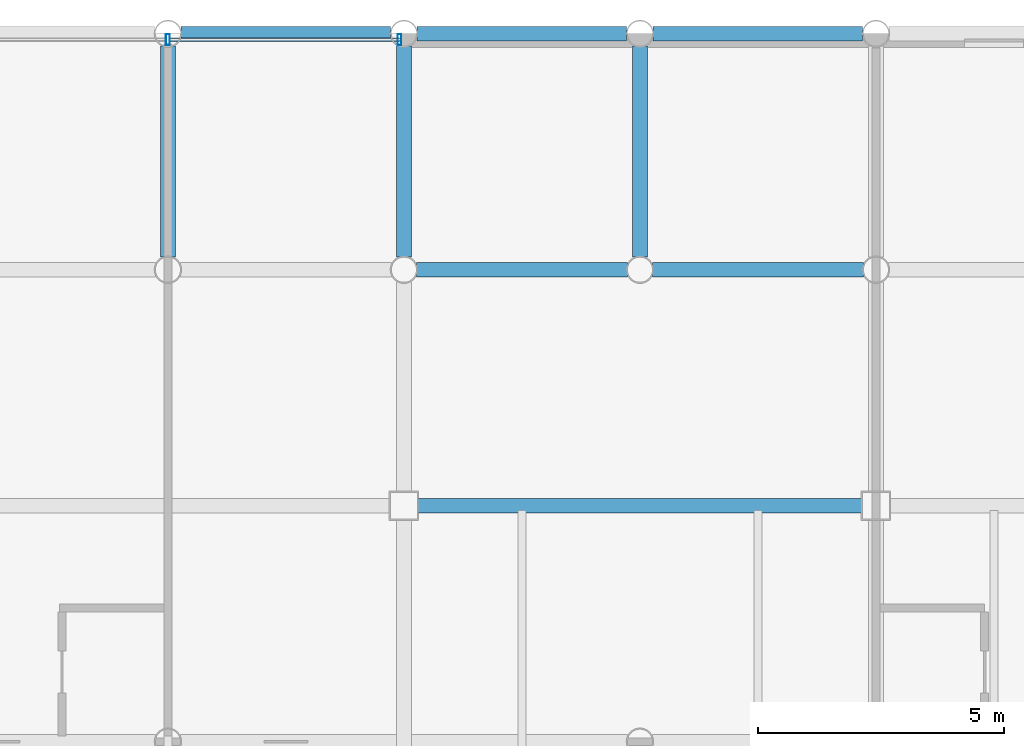
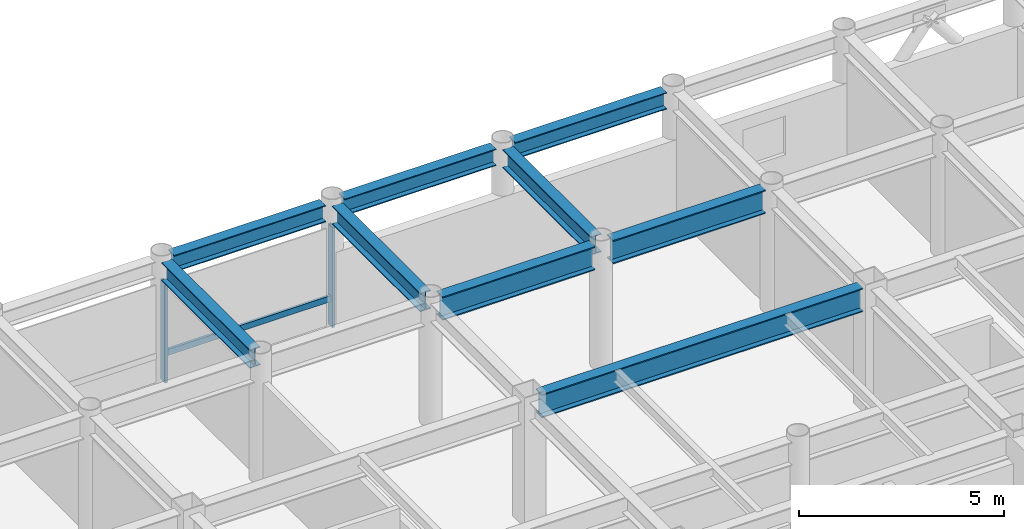
# One storey, part 15 of 22: 9 beams, 3 members, 1 element without a shape of its own.
"""IFC4 building model written with IfcOpenShell, lengths in metres."""

from ifc_helpers import new_model, si_unit, direction, frame, origin, origin_2d, place, context, subcontext, project, spatial, hollow_rectangle, i_section, extrude, material, layer, layer_set, material_profile, profile_set, type_object, element, aggregate, save


model = new_model("IFC4")

# Units and contexts
model_context = context("Model", 3, precision=1e-05, world=origin(), true_north=direction((0.0, 1.0)))
body_context = subcontext(model_context, "Body", "Model", "MODEL_VIEW")
ifc_project = project(units=[si_unit("LENGTHUNIT", "METRE"), si_unit("AREAUNIT", "SQUARE_METRE"), si_unit("VOLUMEUNIT", "CUBIC_METRE"), si_unit("PLANEANGLEUNIT", "RADIAN"), si_unit("MASSUNIT", "GRAM", prefix="KILO")], contexts=[model_context])

# Site, building, storey
site_placement = place(None, origin())
site = spatial("IfcSite", under=ifc_project, at=site_placement, CompositionType="ELEMENT")
building_placement = place(site_placement, origin())
building = spatial("IfcBuilding", under=site, at=building_placement, Name="Kallvorn Hotel Tower", CompositionType="ELEMENT")
storey_placement = place(building_placement, frame((0.0, 0.0, 253.10009765625)))
storey = spatial("IfcBuildingStorey", under=building, at=storey_placement, Name="L63", CompositionType="ELEMENT", Elevation=253.10009765625)

# Beams
ifc_material_1 = material(Name="Structural steel S355JR", Category="steel")
ifc_material_profile_1 = material_profile(ifc_material_1, i_section(OverallWidth=0.300048828125, OverallDepth=0.5, WebThickness=0.014404296875, FlangeThickness=0.028076171875, at=origin_2d()), Name="HE 500 B")
ifc_profile_set_1 = profile_set([ifc_material_profile_1], Name="Structural steel S355JR")
beam_type_1 = type_object("IfcBeamType", Name="BM_HE500B", PredefinedType="SPANDREL", material=ifc_profile_set_1)
for number, where, z_axis, x_axis, name in (
    (1, (0.26953125, 24.0, 3.419921875), (1.0, 0.0, 0.0), (0.0, 1.0, 0.0), "L64 Perimeter Spandrel 169"),
    (2, (5.069580078125, 24.0, 3.419921875), (1.0, 0.0, 0.0), (0.0, 1.0, 0.0), "L64 Perimeter Spandrel 170"),
):
    element("IfcBeam", number, at=place(storey_placement, frame(where, z_axis=z_axis, x_axis=x_axis)), inside=storey, type_object=beam_type_1, Name=name, PredefinedType="SPANDREL", context=body_context, shape_type="SweptSolid", body=[
        extrude(i_section(OverallWidth=0.300048828125, OverallDepth=0.5, WebThickness=0.014404296875, FlangeThickness=0.028076171875, at=origin_2d()), origin(), (0.0, 0.0, 1.0), 4.260986328125),
    ])
beam_1_placement = place(storey_placement, frame((9.869384765625, 24.0, 3.419921875), z_axis=(1.0, 0.0, 0.0), x_axis=(0.0, 1.0, 0.0)))
element("IfcBeam", 3, at=beam_1_placement, inside=storey, type_object=beam_type_1, Name="L64 Perimeter Spandrel 171", PredefinedType="SPANDREL", context=body_context, shape_type="SweptSolid", body=[
    extrude(i_section(OverallWidth=0.300048828125, OverallDepth=0.5, WebThickness=0.014404296875, FlangeThickness=0.028076171875, at=origin_2d()), origin(), (0.0, 0.0, 1.0), 4.26123046875),
])
ifc_material_2 = material(Name="Structural steel S355JR", Category="steel")
ifc_material_profile_2 = material_profile(ifc_material_2, i_section(OverallWidth=0.300048828125, OverallDepth=0.550048828125, WebThickness=0.014892578125, FlangeThickness=0.029052734375, at=origin_2d()), Name="HE 550 B")
ifc_profile_set_2 = profile_set([ifc_material_profile_2], Name="Structural steel S355JR")
beam_type_2 = type_object("IfcBeamType", Name="BM_HE550B", PredefinedType="SPANDREL", material=ifc_profile_set_2)
for number, where, z_axis, x_axis, name in (
    (4, (0.0, 19.45458984375, 3.39501953125), (0.0, 1.0, 0.0), (-1.0, 0.0, 0.0), "L64 Primary Y-Girder 113"),
    (5, (4.800048828125, 19.45458984375, 3.39501953125), (0.0, 1.0, 0.0), (-1.0, 0.0, 0.0), "L64 Primary Y-Girder 118"),
    (6, (9.60009765625, 19.45458984375, 3.39501953125), (0.0, 1.0, 0.0), (-1.0, 0.0, 0.0), "L64 Primary Y-Girder 121"),
):
    element("IfcBeam", number, at=place(storey_placement, frame(where, z_axis=z_axis, x_axis=x_axis)), inside=storey, type_object=beam_type_2, Name=name, PredefinedType="SPANDREL", context=body_context, shape_type="SweptSolid", body=[
        extrude(i_section(OverallWidth=0.300048828125, OverallDepth=0.550048828125, WebThickness=0.014892578125, FlangeThickness=0.029052734375, at=origin_2d()), origin(), (0.0, 0.0, 1.0), 4.291015625),
    ])
ifc_material_3 = material(Name="Structural steel S355JR", Category="steel")
ifc_material_profile_3 = material_profile(ifc_material_3, i_section(OverallWidth=0.300048828125, OverallDepth=0.699951171875, WebThickness=0.01708984375, FlangeThickness=0.031982421875, at=origin_2d()), Name="HE 700 B")
ifc_profile_set_3 = profile_set([ifc_material_profile_3], Name="Structural steel S355JR")
beam_type_3 = type_object("IfcBeamType", Name="BM_HE700B", PredefinedType="BEAM", material=ifc_profile_set_3)
beam_2_placement = place(storey_placement, frame((5.074951171875, 14.39990234375, 3.31982421875), z_axis=(1.0, 0.0, 0.0), x_axis=(0.0, 1.0, 0.0)))
element("IfcBeam", 7, at=beam_2_placement, inside=storey, type_object=beam_type_3, Name="L64 Primary X-Girder 56", PredefinedType="BEAM", context=body_context, shape_type="SweptSolid", body=[
    extrude(i_section(OverallWidth=0.300048828125, OverallDepth=0.699951171875, WebThickness=0.01708984375, FlangeThickness=0.031982421875, at=origin_2d()), origin(), (0.0, 0.0, 1.0), 9.050048828125),
])
for number, where, z_axis, x_axis, name in (
    (8, (5.054443359375, 19.199951171875, 3.31982421875), (1.0, 0.0, 0.0), (0.0, 1.0, 0.0), "L64 Primary X-Girder 68"),
    (9, (9.8544921875, 19.199951171875, 3.31982421875), (1.0, 0.0, 0.0), (0.0, 1.0, 0.0), "L64 Primary X-Girder 69"),
):
    element("IfcBeam", number, at=place(storey_placement, frame(where, z_axis=z_axis, x_axis=x_axis)), inside=storey, type_object=beam_type_3, Name=name, PredefinedType="BEAM", context=body_context, shape_type="SweptSolid", body=[
        extrude(i_section(OverallWidth=0.300048828125, OverallDepth=0.699951171875, WebThickness=0.01708984375, FlangeThickness=0.031982421875, at=origin_2d()), origin(), (0.0, 0.0, 1.0), 4.291015625),
    ])

# Curtain wall, members
ifc_material_4 = material(Name="Thermally broken black-anodised aluminium AA 6063-T6", Category="aluminium")
ifc_layer = layer(ifc_material_4, 0.22998046875)
ifc_layer_set = layer_set([ifc_layer], Name="CW_SYS_5_HOTEL_HIGH")
curtain_wall_type = type_object("IfcCurtainWallType", Name="CW_SYS_5_HOTEL_HIGH", PredefinedType="USERDEFINED", material=ifc_layer_set)
curtain_wall_placement = place(storey_placement, origin())
curtain_wall = element("IfcCurtainWall", 10, at=curtain_wall_placement, inside=storey, type_object=curtain_wall_type, Name="L63 Dark-Glass Curtain Wall CW-L63-NC", ObjectType="UNITISED CURTAIN WALL", PredefinedType="USERDEFINED")
ifc_material_5 = material(Name="Thermally broken black-anodised aluminium AA 6063-T6", Category="aluminium")
ifc_material_profile_4 = material_profile(ifc_material_5, hollow_rectangle(XDim=0.080078125, YDim=0.219970703125, WallThickness=0.0048828125, at=origin_2d()), Name="MUL 220x80")
ifc_profile_set_4 = profile_set([ifc_material_profile_4], Name="Thermally broken black-anodised aluminium AA 6063-T6")
member_type_1 = type_object("IfcMemberType", Name="CW_MULLION_220x80", PredefinedType="MULLION", material=ifc_profile_set_4)
member_1_placement = place(storey_placement, frame((0.0, 23.8798828125, 0.02001953125), z_axis=(0.0, 0.0, 1.0), x_axis=(1.0, 0.0, 0.0)))
member_1 = element("IfcMember", 11, at=member_1_placement, type_object=member_type_1, Name="CW-L63-NC Mullion 01", PredefinedType="MULLION", context=body_context, shape_type="SweptSolid", body=[
    extrude(hollow_rectangle(XDim=0.080078125, YDim=0.219970703125, WallThickness=0.0048828125, at=origin_2d()), origin(), (0.0, 0.0, 1.0), 2.97998046875),
])
member_2_placement = place(storey_placement, frame((4.7099609375, 23.8798828125, 0.02001953125), z_axis=(0.0, 0.0, 1.0), x_axis=(1.0, 0.0, 0.0)))
member_2 = element("IfcMember", 12, at=member_2_placement, type_object=member_type_1, Name="CW-L63-NC Mullion 02", PredefinedType="MULLION", context=body_context, shape_type="SweptSolid", body=[
    extrude(hollow_rectangle(XDim=0.080078125, YDim=0.219970703125, WallThickness=0.0048828125, at=origin_2d()), origin(), (0.0, 0.0, 1.0), 2.97998046875),
])
ifc_material_6 = material(Name="Thermally broken black-anodised aluminium AA 6063-T6", Category="aluminium")
ifc_material_profile_5 = material_profile(ifc_material_6, hollow_rectangle(XDim=0.070068359375, YDim=0.179931640625, WallThickness=0.00390625, at=origin_2d()), Name="TRN 180x70")
ifc_profile_set_5 = profile_set([ifc_material_profile_5], Name="Thermally broken black-anodised aluminium AA 6063-T6")
member_type_2 = type_object("IfcMemberType", Name="CW_TRANSOM_180x70", PredefinedType="USERDEFINED", material=ifc_profile_set_5)
member_3_placement = place(storey_placement, frame((0.0400390625, 23.8798828125, 0.849853515625), z_axis=(1.0, 0.0, 0.0), x_axis=(0.0, 1.0, 0.0)))
member_3 = element("IfcMember", 13, at=member_3_placement, type_object=member_type_2, Name="CW-L63-NC Transom 01M", ObjectType="TRANSOM", PredefinedType="USERDEFINED", context=body_context, shape_type="SweptSolid", body=[
    extrude(hollow_rectangle(XDim=0.070068359375, YDim=0.179931640625, WallThickness=0.00390625, at=origin_2d()), origin(), (0.0, 0.0, 1.0), 4.669921875),
])
aggregate(curtain_wall, [member_1, member_2, member_3])

save(model, "model.ifc")
